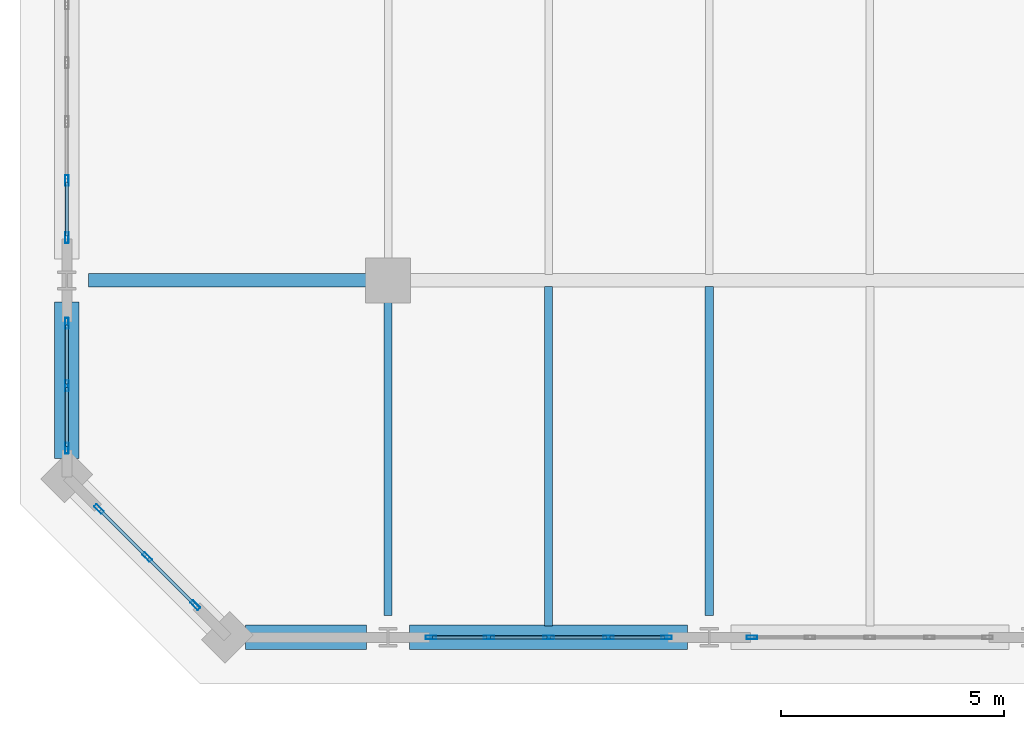
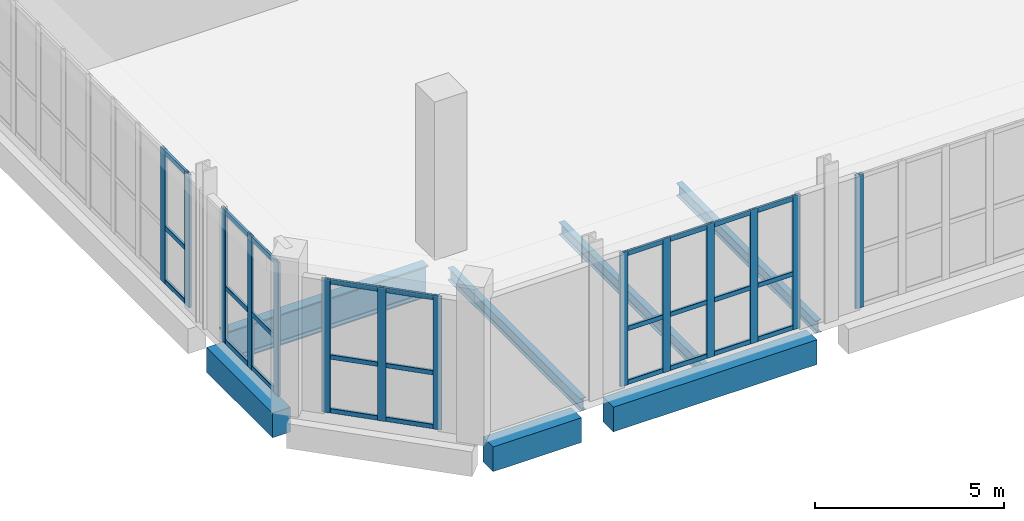
# One storey, part 2 of 26: 41 members, 7 beams, 5 elements without a shape of their own.
"""IFC4 building model written with IfcOpenShell, lengths in metres."""

from ifc_helpers import new_model, si_unit, direction, frame, origin, origin_2d, place, context, subcontext, project, spatial, rectangle, hollow_rectangle, i_section, extrude, material, layer, layer_set, material_profile, profile_set, type_object, element, aggregate, save


model = new_model("IFC4")

# Units and contexts
model_context = context("Model", 3, precision=1e-05, world=origin(), true_north=direction((0.0, 1.0)))
body_context = subcontext(model_context, "Body", "Model", "MODEL_VIEW")
ifc_project = project(units=[si_unit("LENGTHUNIT", "METRE"), si_unit("AREAUNIT", "SQUARE_METRE"), si_unit("VOLUMEUNIT", "CUBIC_METRE"), si_unit("PLANEANGLEUNIT", "RADIAN"), si_unit("MASSUNIT", "GRAM", prefix="KILO")], contexts=[model_context])

# Site, building, storey
site_placement = place(None, origin())
site = spatial("IfcSite", under=ifc_project, at=site_placement, CompositionType="ELEMENT")
building_placement = place(site_placement, origin())
building = spatial("IfcBuilding", under=site, at=building_placement, Name="Kaelvorn Grand Hotel", CompositionType="ELEMENT")
storey_placement = place(building_placement, frame((0.0, 0.0, 294.699951171875)))
storey = spatial("IfcBuildingStorey", under=building, at=storey_placement, Name="L72", CompositionType="ELEMENT", Elevation=294.699951171875)

# Beams
ifc_material_1 = material(Name="Steel S460", Category="steel")
ifc_material_profile_1 = material_profile(ifc_material_1, i_section(OverallWidth=0.302001953125, OverallDepth=1.008056640625, WebThickness=0.02099609375, FlangeThickness=0.0400390625, FilletRadius=0.024169921875, at=origin_2d()), Name="UB 1016x305x349")
ifc_profile_set_1 = profile_set([ifc_material_profile_1], Name="Steel S460")
beam_type_1 = type_object("IfcBeamType", Name="BM-G-UB1016-S460", PredefinedType="BEAM", material=ifc_profile_set_1)
beam_1_placement = place(storey_placement, frame((9.485107421875, 15.0, -0.884033203125), z_axis=(1.0, 0.0, 0.0), x_axis=(0.0, 1.0, 0.0)))
element("IfcBeam", 1, at=beam_1_placement, inside=storey, type_object=beam_type_1, Name="L72 Primary Spine Steel Girder G-15 01", PredefinedType="BEAM", context=body_context, shape_type="SweptSolid", body=[
    extrude(i_section(OverallWidth=0.302001953125, OverallDepth=1.008056640625, WebThickness=0.02099609375, FlangeThickness=0.0400390625, FilletRadius=0.024169921875, at=origin_2d()), origin(), (0.0, 0.0, 1.0), 6.22998046875),
])
ifc_material_2 = material(Name="Steel S355", Category="steel")
ifc_material_profile_2 = material_profile(ifc_material_2, i_section(OverallWidth=0.179931640625, OverallDepth=0.39990234375, WebThickness=0.008544921875, FlangeThickness=0.013427734375, FilletRadius=0.02099609375, at=origin_2d()), Name="IPE 400")
ifc_profile_set_2 = profile_set([ifc_material_profile_2], Name="Steel S355")
beam_type_2 = type_object("IfcBeamType", Name="BM-J-IPE400-S355", PredefinedType="JOIST", material=ifc_profile_set_2)
beam_2_placement = place(storey_placement, frame((16.199951171875, 7.485107421875, -0.579833984375), z_axis=(0.0, 1.0, 0.0), x_axis=(-1.0, 0.0, 0.0)))
element("IfcBeam", 2, at=beam_2_placement, inside=storey, type_object=beam_type_2, Name="L72 Composite Floor Joist JS-05", PredefinedType="JOIST", context=body_context, shape_type="SweptSolid", body=[
    extrude(i_section(OverallWidth=0.179931640625, OverallDepth=0.39990234375, WebThickness=0.008544921875, FlangeThickness=0.013427734375, FilletRadius=0.02099609375, at=origin_2d()), origin(), (0.0, 0.0, 1.0), 7.02978515625),
])
beam_3_placement = place(storey_placement, frame((19.800048828125, 7.260009765625, -0.579833984375), z_axis=(0.0, 1.0, 0.0), x_axis=(-1.0, 0.0, 0.0)))
element("IfcBeam", 3, at=beam_3_placement, inside=storey, type_object=beam_type_2, Name="L72 Composite Floor Joist JS-06", PredefinedType="JOIST", context=body_context, shape_type="SweptSolid", body=[
    extrude(i_section(OverallWidth=0.179931640625, OverallDepth=0.39990234375, WebThickness=0.008544921875, FlangeThickness=0.013427734375, FilletRadius=0.02099609375, at=origin_2d()), origin(), (0.0, 0.0, 1.0), 7.60400390625),
])
beam_4_placement = place(storey_placement, frame((23.39990234375, 7.485107421875, -0.579833984375), z_axis=(0.0, 1.0, 0.0), x_axis=(-1.0, 0.0, 0.0)))
element("IfcBeam", 4, at=beam_4_placement, inside=storey, type_object=beam_type_2, Name="L72 Composite Floor Joist JS-07", PredefinedType="JOIST", context=body_context, shape_type="SweptSolid", body=[
    extrude(i_section(OverallWidth=0.179931640625, OverallDepth=0.39990234375, WebThickness=0.008544921875, FlangeThickness=0.013427734375, FilletRadius=0.02099609375, at=origin_2d()), origin(), (0.0, 0.0, 1.0), 7.37890625),
])
ifc_material_3 = material(Name="Concrete C50/60", Category="concrete")
ifc_material_profile_3 = material_profile(ifc_material_3, rectangle(XDim=0.550048828125, YDim=0.800048828125, at=origin_2d()), Name="RC SPANDREL 550x800")
ifc_profile_set_3 = profile_set([ifc_material_profile_3], Name="Concrete C50/60")
beam_type_3 = type_object("IfcBeamType", Name="BM-SP-550x800-C50", PredefinedType="SPANDREL", material=ifc_profile_set_3)
beam_5_placement = place(storey_placement, frame((13.0048828125, 7.0, -0.780029296875), z_axis=(1.0, 0.0, 0.0), x_axis=(0.0, 1.0, 0.0)))
element("IfcBeam", 5, at=beam_5_placement, inside=storey, type_object=beam_type_3, Name="L72 South Perimeter Spandrel 01", PredefinedType="SPANDREL", context=body_context, shape_type="SweptSolid", body=[
    extrude(rectangle(XDim=0.550048828125, YDim=0.800048828125, at=origin_2d()), origin(), (0.0, 0.0, 1.0), 2.710205078125),
])
beam_6_placement = place(storey_placement, frame((16.68505859375, 7.0, -0.780029296875), z_axis=(1.0, 0.0, 0.0), x_axis=(0.0, 1.0, 0.0)))
element("IfcBeam", 6, at=beam_6_placement, inside=storey, type_object=beam_type_3, Name="L72 South Perimeter Spandrel 02", PredefinedType="SPANDREL", context=body_context, shape_type="SweptSolid", body=[
    extrude(rectangle(XDim=0.550048828125, YDim=0.800048828125, at=origin_2d()), origin(), (0.0, 0.0, 1.0), 6.22998046875),
])
beam_7_placement = place(storey_placement, frame((9.0, 11.0048828125, -0.780029296875), z_axis=(0.0, 1.0, 0.0), x_axis=(-1.0, 0.0, 0.0)))
element("IfcBeam", 7, at=beam_7_placement, inside=storey, type_object=beam_type_3, Name="L72 West Perimeter Spandrel 01", PredefinedType="SPANDREL", context=body_context, shape_type="SweptSolid", body=[
    extrude(rectangle(XDim=0.550048828125, YDim=0.800048828125, at=origin_2d()), origin(), (0.0, 0.0, 1.0), 3.510009765625),
])

# Curtain wall, members
ifc_material_4 = material(Name="Anodised Aluminium", Category="aluminium")
ifc_layer = layer(ifc_material_4, 0.239990234375)
ifc_layer_set = layer_set([ifc_layer], Name="Anodised Aluminium")
curtain_wall_type = type_object("IfcCurtainWallType", Name="CW-SYS5", PredefinedType="NOTDEFINED", material=ifc_layer_set)
curtain_wall_1_placement = place(storey_placement, origin())
curtain_wall_1 = element("IfcCurtainWall", 8, at=curtain_wall_1_placement, inside=storey, type_object=curtain_wall_type, Name="L72 Unitised Curtain Wall CW5 (CW-L72-S-01)", PredefinedType="NOTDEFINED")
ifc_material_profile_4 = material_profile(ifc_material_4, hollow_rectangle(XDim=0.080078125, YDim=0.239990234375, WallThickness=0.0048828125, InnerFilletRadius=0.0048828125, OuterFilletRadius=0.010009765625, at=origin_2d()), Name="ALU MULL 80x240")
ifc_profile_set_4 = profile_set([ifc_material_profile_4], Name="Anodised Aluminium")
member_type_1 = type_object("IfcMemberType", Name="CW-SYS5-MULL", PredefinedType="MULLION", material=ifc_profile_set_4)
member_1_placement = place(storey_placement, frame((17.159912109375, 7.0, 0.0), z_axis=(0.0, 0.0, 1.0), x_axis=(0.0, 1.0, 0.0)))
member_1 = element("IfcMember", 9, at=member_1_placement, type_object=member_type_1, Name="CW5 mullion 1", PredefinedType="MULLION", context=body_context, shape_type="SweptSolid", body=[
    extrude(hollow_rectangle(XDim=0.080078125, YDim=0.239990234375, WallThickness=0.0048828125, InnerFilletRadius=0.0048828125, OuterFilletRadius=0.010009765625, at=origin_2d()), origin(), (0.0, 0.0, 1.0), 4.320068359375),
])
member_2_placement = place(storey_placement, frame((18.4599609375, 7.0, 0.0), z_axis=(0.0, 0.0, 1.0), x_axis=(0.0, 1.0, 0.0)))
member_2 = element("IfcMember", 10, at=member_2_placement, type_object=member_type_1, Name="CW5 mullion 2", PredefinedType="MULLION", context=body_context, shape_type="SweptSolid", body=[
    extrude(hollow_rectangle(XDim=0.080078125, YDim=0.239990234375, WallThickness=0.0048828125, InnerFilletRadius=0.0048828125, OuterFilletRadius=0.010009765625, at=origin_2d()), origin(), (0.0, 0.0, 1.0), 4.320068359375),
])
member_3_placement = place(storey_placement, frame((19.800048828125, 7.0, 0.0), z_axis=(0.0, 0.0, 1.0), x_axis=(0.0, 1.0, 0.0)))
member_3 = element("IfcMember", 11, at=member_3_placement, type_object=member_type_1, Name="CW5 mullion 3", PredefinedType="MULLION", context=body_context, shape_type="SweptSolid", body=[
    extrude(hollow_rectangle(XDim=0.080078125, YDim=0.239990234375, WallThickness=0.0048828125, InnerFilletRadius=0.0048828125, OuterFilletRadius=0.010009765625, at=origin_2d()), origin(), (0.0, 0.0, 1.0), 4.320068359375),
])
member_4_placement = place(storey_placement, frame((21.139892578125, 7.0, 0.0), z_axis=(0.0, 0.0, 1.0), x_axis=(0.0, 1.0, 0.0)))
member_4 = element("IfcMember", 12, at=member_4_placement, type_object=member_type_1, Name="CW5 mullion 4", PredefinedType="MULLION", context=body_context, shape_type="SweptSolid", body=[
    extrude(hollow_rectangle(XDim=0.080078125, YDim=0.239990234375, WallThickness=0.0048828125, InnerFilletRadius=0.0048828125, OuterFilletRadius=0.010009765625, at=origin_2d()), origin(), (0.0, 0.0, 1.0), 4.320068359375),
])
member_5_placement = place(storey_placement, frame((22.43994140625, 7.0, 0.0), z_axis=(0.0, 0.0, 1.0), x_axis=(0.0, 1.0, 0.0)))
member_5 = element("IfcMember", 13, at=member_5_placement, type_object=member_type_1, Name="CW5 mullion 5", PredefinedType="MULLION", context=body_context, shape_type="SweptSolid", body=[
    extrude(hollow_rectangle(XDim=0.080078125, YDim=0.239990234375, WallThickness=0.0048828125, InnerFilletRadius=0.0048828125, OuterFilletRadius=0.010009765625, at=origin_2d()), origin(), (0.0, 0.0, 1.0), 4.320068359375),
])

# Curtain wall, member
curtain_wall_2_placement = place(storey_placement, origin())
curtain_wall_2 = element("IfcCurtainWall", 14, at=curtain_wall_2_placement, inside=storey, type_object=curtain_wall_type, Name="L72 Unitised Curtain Wall CW5 (CW-L72-S-02)", PredefinedType="NOTDEFINED")
member_6_placement = place(storey_placement, frame((24.360107421875, 7.0, 0.0), z_axis=(0.0, 0.0, 1.0), x_axis=(0.0, 1.0, 0.0)))
member_6 = element("IfcMember", 15, at=member_6_placement, type_object=member_type_1, Name="CW5 mullion 1", PredefinedType="MULLION", context=body_context, shape_type="SweptSolid", body=[
    extrude(hollow_rectangle(XDim=0.080078125, YDim=0.239990234375, WallThickness=0.0048828125, InnerFilletRadius=0.0048828125, OuterFilletRadius=0.010009765625, at=origin_2d()), origin(), (0.0, 0.0, 1.0), 4.320068359375),
])
aggregate(curtain_wall_2, [member_6])

# Curtain wall, members
curtain_wall_3_placement = place(storey_placement, origin())
curtain_wall_3 = element("IfcCurtainWall", 16, at=curtain_wall_3_placement, inside=storey, type_object=curtain_wall_type, Name="L72 Unitised Curtain Wall CW5 (CW-L72-W-02)", PredefinedType="NOTDEFINED")
member_7_placement = place(storey_placement, frame((9.0, 17.239990234375, 0.0), z_axis=(0.0, 0.0, 1.0), x_axis=(1.0, 0.0, 0.0)))
member_7 = element("IfcMember", 17, at=member_7_placement, type_object=member_type_1, Name="CW5 mullion 8", PredefinedType="MULLION", context=body_context, shape_type="SweptSolid", body=[
    extrude(hollow_rectangle(XDim=0.080078125, YDim=0.239990234375, WallThickness=0.0048828125, InnerFilletRadius=0.0048828125, OuterFilletRadius=0.010009765625, at=origin_2d()), origin(), (0.0, 0.0, 1.0), 4.320068359375),
])
member_8_placement = place(storey_placement, frame((9.0, 15.9599609375, 0.0), z_axis=(0.0, 0.0, 1.0), x_axis=(1.0, 0.0, 0.0)))
member_8 = element("IfcMember", 18, at=member_8_placement, type_object=member_type_1, Name="CW5 mullion 9", PredefinedType="MULLION", context=body_context, shape_type="SweptSolid", body=[
    extrude(hollow_rectangle(XDim=0.080078125, YDim=0.239990234375, WallThickness=0.0048828125, InnerFilletRadius=0.0048828125, OuterFilletRadius=0.010009765625, at=origin_2d()), origin(), (0.0, 0.0, 1.0), 4.320068359375),
])

curtain_wall_4_placement = place(storey_placement, origin())
curtain_wall_4 = element("IfcCurtainWall", 19, at=curtain_wall_4_placement, inside=storey, type_object=curtain_wall_type, Name="L72 Unitised Curtain Wall CW5 (CW-L72-W-01)", PredefinedType="NOTDEFINED")
member_9_placement = place(storey_placement, frame((9.0, 14.0400390625, 0.0), z_axis=(0.0, 0.0, 1.0), x_axis=(1.0, 0.0, 0.0)))
member_9 = element("IfcMember", 20, at=member_9_placement, type_object=member_type_1, Name="CW5 mullion 1", PredefinedType="MULLION", context=body_context, shape_type="SweptSolid", body=[
    extrude(hollow_rectangle(XDim=0.080078125, YDim=0.239990234375, WallThickness=0.0048828125, InnerFilletRadius=0.0048828125, OuterFilletRadius=0.010009765625, at=origin_2d()), origin(), (0.0, 0.0, 1.0), 4.320068359375),
])
member_10_placement = place(storey_placement, frame((9.0, 12.639892578125, 0.0), z_axis=(0.0, 0.0, 1.0), x_axis=(1.0, 0.0, 0.0)))
member_10 = element("IfcMember", 21, at=member_10_placement, type_object=member_type_1, Name="CW5 mullion 2", PredefinedType="MULLION", context=body_context, shape_type="SweptSolid", body=[
    extrude(hollow_rectangle(XDim=0.080078125, YDim=0.239990234375, WallThickness=0.0048828125, InnerFilletRadius=0.0048828125, OuterFilletRadius=0.010009765625, at=origin_2d()), origin(), (0.0, 0.0, 1.0), 4.320068359375),
])
member_11_placement = place(storey_placement, frame((9.0, 11.239990234375, 0.0), z_axis=(0.0, 0.0, 1.0), x_axis=(1.0, 0.0, 0.0)))
member_11 = element("IfcMember", 22, at=member_11_placement, type_object=member_type_1, Name="CW5 mullion 3", PredefinedType="MULLION", context=body_context, shape_type="SweptSolid", body=[
    extrude(hollow_rectangle(XDim=0.080078125, YDim=0.239990234375, WallThickness=0.0048828125, InnerFilletRadius=0.0048828125, OuterFilletRadius=0.010009765625, at=origin_2d()), origin(), (0.0, 0.0, 1.0), 4.320068359375),
])

curtain_wall_5_placement = place(storey_placement, origin())
curtain_wall_5 = element("IfcCurtainWall", 23, at=curtain_wall_5_placement, inside=storey, type_object=curtain_wall_type, Name="L72 Unitised Curtain Wall CW5 (CW-L72-SW)", PredefinedType="NOTDEFINED")
member_12_placement = place(storey_placement, frame((9.72119140625, 9.878662109375, 0.0), z_axis=(0.0, 0.0, 1.0), x_axis=(0.707106781187, 0.707106781187, 0.0)))
member_12 = element("IfcMember", 24, at=member_12_placement, type_object=member_type_1, Name="CW5 mullion 1", PredefinedType="MULLION", context=body_context, shape_type="SweptSolid", body=[
    extrude(hollow_rectangle(XDim=0.080078125, YDim=0.239990234375, WallThickness=0.0048828125, InnerFilletRadius=0.0048828125, OuterFilletRadius=0.010009765625, at=origin_2d()), origin(), (0.0, 0.0, 1.0), 4.320068359375),
])
member_13_placement = place(storey_placement, frame((10.800048828125, 8.800048828125, 0.0), z_axis=(0.0, 0.0, 1.0), x_axis=(0.707106781187, 0.707106781187, 0.0)))
member_13 = element("IfcMember", 25, at=member_13_placement, type_object=member_type_1, Name="CW5 mullion 2", PredefinedType="MULLION", context=body_context, shape_type="SweptSolid", body=[
    extrude(hollow_rectangle(XDim=0.080078125, YDim=0.239990234375, WallThickness=0.0048828125, InnerFilletRadius=0.0048828125, OuterFilletRadius=0.010009765625, at=origin_2d()), origin(), (0.0, 0.0, 1.0), 4.320068359375),
])
member_14_placement = place(storey_placement, frame((11.878662109375, 7.72119140625, 0.0), z_axis=(0.0, 0.0, 1.0), x_axis=(0.707106781187, 0.707106781187, 0.0)))
member_14 = element("IfcMember", 26, at=member_14_placement, type_object=member_type_1, Name="CW5 mullion 3", PredefinedType="MULLION", context=body_context, shape_type="SweptSolid", body=[
    extrude(hollow_rectangle(XDim=0.080078125, YDim=0.239990234375, WallThickness=0.0048828125, InnerFilletRadius=0.0048828125, OuterFilletRadius=0.010009765625, at=origin_2d()), origin(), (0.0, 0.0, 1.0), 4.320068359375),
])

# Member
ifc_material_profile_5 = material_profile(ifc_material_4, hollow_rectangle(XDim=0.074951171875, YDim=0.14990234375, WallThickness=0.00390625, InnerFilletRadius=0.00390625, OuterFilletRadius=0.008056640625, at=origin_2d()), Name="ALU TRAN 75x150")
ifc_profile_set_5 = profile_set([ifc_material_profile_5], Name="Anodised Aluminium")
member_type_2 = type_object("IfcMemberType", Name="CW-SYS5-TRAN", PredefinedType="NOTDEFINED", material=ifc_profile_set_5)
member_15_placement = place(storey_placement, frame((17.199951171875, 7.0, 0.074951171875), z_axis=(1.0, 0.0, 0.0), x_axis=(0.0, 1.0, 0.0)))
member_15 = element("IfcMember", 27, at=member_15_placement, type_object=member_type_2, Name="CW5 transom 1.1", ObjectType="TRANSOM", PredefinedType="USERDEFINED", context=body_context, shape_type="SweptSolid", body=[
    extrude(hollow_rectangle(XDim=0.074951171875, YDim=0.14990234375, WallThickness=0.00390625, InnerFilletRadius=0.00390625, OuterFilletRadius=0.008056640625, at=origin_2d()), origin(), (0.0, 0.0, 1.0), 1.219970703125),
])

member_16_placement = place(storey_placement, frame((17.199951171875, 7.0, 1.814453125), z_axis=(1.0, 0.0, 0.0), x_axis=(0.0, 1.0, 0.0)))
member_16 = element("IfcMember", 28, at=member_16_placement, type_object=member_type_2, Name="CW5 transom 1.2", ObjectType="TRANSOM", PredefinedType="USERDEFINED", context=body_context, shape_type="SweptSolid", body=[
    extrude(hollow_rectangle(XDim=0.074951171875, YDim=0.14990234375, WallThickness=0.00390625, InnerFilletRadius=0.00390625, OuterFilletRadius=0.008056640625, at=origin_2d()), origin(), (0.0, 0.0, 1.0), 1.219970703125),
])

member_17_placement = place(storey_placement, frame((17.199951171875, 7.0, 4.2451171875), z_axis=(1.0, 0.0, 0.0), x_axis=(0.0, 1.0, 0.0)))
member_17 = element("IfcMember", 29, at=member_17_placement, type_object=member_type_2, Name="CW5 transom 1.3", ObjectType="TRANSOM", PredefinedType="USERDEFINED", context=body_context, shape_type="SweptSolid", body=[
    extrude(hollow_rectangle(XDim=0.074951171875, YDim=0.14990234375, WallThickness=0.00390625, InnerFilletRadius=0.00390625, OuterFilletRadius=0.008056640625, at=origin_2d()), origin(), (0.0, 0.0, 1.0), 1.219970703125),
])

member_18_placement = place(storey_placement, frame((18.5, 7.0, 0.074951171875), z_axis=(1.0, 0.0, 0.0), x_axis=(0.0, 1.0, 0.0)))
member_18 = element("IfcMember", 30, at=member_18_placement, type_object=member_type_2, Name="CW5 transom 2.1", ObjectType="TRANSOM", PredefinedType="USERDEFINED", context=body_context, shape_type="SweptSolid", body=[
    extrude(hollow_rectangle(XDim=0.074951171875, YDim=0.14990234375, WallThickness=0.00390625, InnerFilletRadius=0.00390625, OuterFilletRadius=0.008056640625, at=origin_2d()), origin(), (0.0, 0.0, 1.0), 1.260009765625),
])

member_19_placement = place(storey_placement, frame((18.5, 7.0, 1.814453125), z_axis=(1.0, 0.0, 0.0), x_axis=(0.0, 1.0, 0.0)))
member_19 = element("IfcMember", 31, at=member_19_placement, type_object=member_type_2, Name="CW5 transom 2.2", ObjectType="TRANSOM", PredefinedType="USERDEFINED", context=body_context, shape_type="SweptSolid", body=[
    extrude(hollow_rectangle(XDim=0.074951171875, YDim=0.14990234375, WallThickness=0.00390625, InnerFilletRadius=0.00390625, OuterFilletRadius=0.008056640625, at=origin_2d()), origin(), (0.0, 0.0, 1.0), 1.260009765625),
])

member_20_placement = place(storey_placement, frame((18.5, 7.0, 4.2451171875), z_axis=(1.0, 0.0, 0.0), x_axis=(0.0, 1.0, 0.0)))
member_20 = element("IfcMember", 32, at=member_20_placement, type_object=member_type_2, Name="CW5 transom 2.3", ObjectType="TRANSOM", PredefinedType="USERDEFINED", context=body_context, shape_type="SweptSolid", body=[
    extrude(hollow_rectangle(XDim=0.074951171875, YDim=0.14990234375, WallThickness=0.00390625, InnerFilletRadius=0.00390625, OuterFilletRadius=0.008056640625, at=origin_2d()), origin(), (0.0, 0.0, 1.0), 1.260009765625),
])

member_21_placement = place(storey_placement, frame((19.840087890625, 7.0, 0.074951171875), z_axis=(1.0, 0.0, 0.0), x_axis=(0.0, 1.0, 0.0)))
member_21 = element("IfcMember", 33, at=member_21_placement, type_object=member_type_2, Name="CW5 transom 3.1", ObjectType="TRANSOM", PredefinedType="USERDEFINED", context=body_context, shape_type="SweptSolid", body=[
    extrude(hollow_rectangle(XDim=0.074951171875, YDim=0.14990234375, WallThickness=0.00390625, InnerFilletRadius=0.00390625, OuterFilletRadius=0.008056640625, at=origin_2d()), origin(), (0.0, 0.0, 1.0), 1.260009765625),
])

member_22_placement = place(storey_placement, frame((19.840087890625, 7.0, 1.814453125), z_axis=(1.0, 0.0, 0.0), x_axis=(0.0, 1.0, 0.0)))
member_22 = element("IfcMember", 34, at=member_22_placement, type_object=member_type_2, Name="CW5 transom 3.2", ObjectType="TRANSOM", PredefinedType="USERDEFINED", context=body_context, shape_type="SweptSolid", body=[
    extrude(hollow_rectangle(XDim=0.074951171875, YDim=0.14990234375, WallThickness=0.00390625, InnerFilletRadius=0.00390625, OuterFilletRadius=0.008056640625, at=origin_2d()), origin(), (0.0, 0.0, 1.0), 1.260009765625),
])

member_23_placement = place(storey_placement, frame((19.840087890625, 7.0, 4.2451171875), z_axis=(1.0, 0.0, 0.0), x_axis=(0.0, 1.0, 0.0)))
member_23 = element("IfcMember", 35, at=member_23_placement, type_object=member_type_2, Name="CW5 transom 3.3", ObjectType="TRANSOM", PredefinedType="USERDEFINED", context=body_context, shape_type="SweptSolid", body=[
    extrude(hollow_rectangle(XDim=0.074951171875, YDim=0.14990234375, WallThickness=0.00390625, InnerFilletRadius=0.00390625, OuterFilletRadius=0.008056640625, at=origin_2d()), origin(), (0.0, 0.0, 1.0), 1.260009765625),
])

member_24_placement = place(storey_placement, frame((21.179931640625, 7.0, 0.074951171875), z_axis=(1.0, 0.0, 0.0), x_axis=(0.0, 1.0, 0.0)))
member_24 = element("IfcMember", 36, at=member_24_placement, type_object=member_type_2, Name="CW5 transom 4.1", ObjectType="TRANSOM", PredefinedType="USERDEFINED", context=body_context, shape_type="SweptSolid", body=[
    extrude(hollow_rectangle(XDim=0.074951171875, YDim=0.14990234375, WallThickness=0.00390625, InnerFilletRadius=0.00390625, OuterFilletRadius=0.008056640625, at=origin_2d()), origin(), (0.0, 0.0, 1.0), 1.219970703125),
])

member_25_placement = place(storey_placement, frame((21.179931640625, 7.0, 1.814453125), z_axis=(1.0, 0.0, 0.0), x_axis=(0.0, 1.0, 0.0)))
member_25 = element("IfcMember", 37, at=member_25_placement, type_object=member_type_2, Name="CW5 transom 4.2", ObjectType="TRANSOM", PredefinedType="USERDEFINED", context=body_context, shape_type="SweptSolid", body=[
    extrude(hollow_rectangle(XDim=0.074951171875, YDim=0.14990234375, WallThickness=0.00390625, InnerFilletRadius=0.00390625, OuterFilletRadius=0.008056640625, at=origin_2d()), origin(), (0.0, 0.0, 1.0), 1.219970703125),
])

member_26_placement = place(storey_placement, frame((21.179931640625, 7.0, 4.2451171875), z_axis=(1.0, 0.0, 0.0), x_axis=(0.0, 1.0, 0.0)))
member_26 = element("IfcMember", 38, at=member_26_placement, type_object=member_type_2, Name="CW5 transom 4.3", ObjectType="TRANSOM", PredefinedType="USERDEFINED", context=body_context, shape_type="SweptSolid", body=[
    extrude(hollow_rectangle(XDim=0.074951171875, YDim=0.14990234375, WallThickness=0.00390625, InnerFilletRadius=0.00390625, OuterFilletRadius=0.008056640625, at=origin_2d()), origin(), (0.0, 0.0, 1.0), 1.219970703125),
])

aggregate(curtain_wall_1, [member_1, member_2, member_3, member_4, member_5, member_15, member_16, member_17, member_18, member_19, member_20, member_21, member_22, member_23, member_24, member_25, member_26])

member_27_placement = place(storey_placement, frame((9.0, 17.199951171875, 0.074951171875), z_axis=(0.0, -1.0, 0.0), x_axis=(1.0, 0.0, 0.0)))
member_27 = element("IfcMember", 39, at=member_27_placement, type_object=member_type_2, Name="CW5 transom 8.1", ObjectType="TRANSOM", PredefinedType="USERDEFINED", context=body_context, shape_type="SweptSolid", body=[
    extrude(hollow_rectangle(XDim=0.074951171875, YDim=0.14990234375, WallThickness=0.00390625, InnerFilletRadius=0.00390625, OuterFilletRadius=0.008056640625, at=origin_2d()), origin(), (0.0, 0.0, 1.0), 1.199951171875),
])

member_28_placement = place(storey_placement, frame((9.0, 17.199951171875, 1.814453125), z_axis=(0.0, -1.0, 0.0), x_axis=(1.0, 0.0, 0.0)))
member_28 = element("IfcMember", 40, at=member_28_placement, type_object=member_type_2, Name="CW5 transom 8.2", ObjectType="TRANSOM", PredefinedType="USERDEFINED", context=body_context, shape_type="SweptSolid", body=[
    extrude(hollow_rectangle(XDim=0.074951171875, YDim=0.14990234375, WallThickness=0.00390625, InnerFilletRadius=0.00390625, OuterFilletRadius=0.008056640625, at=origin_2d()), origin(), (0.0, 0.0, 1.0), 1.199951171875),
])

member_29_placement = place(storey_placement, frame((9.0, 17.199951171875, 4.2451171875), z_axis=(0.0, -1.0, 0.0), x_axis=(1.0, 0.0, 0.0)))
member_29 = element("IfcMember", 41, at=member_29_placement, type_object=member_type_2, Name="CW5 transom 8.3", ObjectType="TRANSOM", PredefinedType="USERDEFINED", context=body_context, shape_type="SweptSolid", body=[
    extrude(hollow_rectangle(XDim=0.074951171875, YDim=0.14990234375, WallThickness=0.00390625, InnerFilletRadius=0.00390625, OuterFilletRadius=0.008056640625, at=origin_2d()), origin(), (0.0, 0.0, 1.0), 1.199951171875),
])

aggregate(curtain_wall_3, [member_7, member_8, member_27, member_28, member_29])

member_30_placement = place(storey_placement, frame((9.0, 14.0, 0.074951171875), z_axis=(0.0, -1.0, 0.0), x_axis=(1.0, 0.0, 0.0)))
member_30 = element("IfcMember", 42, at=member_30_placement, type_object=member_type_2, Name="CW5 transom 1.1", ObjectType="TRANSOM", PredefinedType="USERDEFINED", context=body_context, shape_type="SweptSolid", body=[
    extrude(hollow_rectangle(XDim=0.074951171875, YDim=0.14990234375, WallThickness=0.00390625, InnerFilletRadius=0.00390625, OuterFilletRadius=0.008056640625, at=origin_2d()), origin(), (0.0, 0.0, 1.0), 1.320068359375),
])

member_31_placement = place(storey_placement, frame((9.0, 14.0, 1.814453125), z_axis=(0.0, -1.0, 0.0), x_axis=(1.0, 0.0, 0.0)))
member_31 = element("IfcMember", 43, at=member_31_placement, type_object=member_type_2, Name="CW5 transom 1.2", ObjectType="TRANSOM", PredefinedType="USERDEFINED", context=body_context, shape_type="SweptSolid", body=[
    extrude(hollow_rectangle(XDim=0.074951171875, YDim=0.14990234375, WallThickness=0.00390625, InnerFilletRadius=0.00390625, OuterFilletRadius=0.008056640625, at=origin_2d()), origin(), (0.0, 0.0, 1.0), 1.320068359375),
])

member_32_placement = place(storey_placement, frame((9.0, 14.0, 4.2451171875), z_axis=(0.0, -1.0, 0.0), x_axis=(1.0, 0.0, 0.0)))
member_32 = element("IfcMember", 44, at=member_32_placement, type_object=member_type_2, Name="CW5 transom 1.3", ObjectType="TRANSOM", PredefinedType="USERDEFINED", context=body_context, shape_type="SweptSolid", body=[
    extrude(hollow_rectangle(XDim=0.074951171875, YDim=0.14990234375, WallThickness=0.00390625, InnerFilletRadius=0.00390625, OuterFilletRadius=0.008056640625, at=origin_2d()), origin(), (0.0, 0.0, 1.0), 1.320068359375),
])

member_33_placement = place(storey_placement, frame((9.0, 12.60009765625, 0.074951171875), z_axis=(0.0, -1.0, 0.0), x_axis=(1.0, 0.0, 0.0)))
member_33 = element("IfcMember", 45, at=member_33_placement, type_object=member_type_2, Name="CW5 transom 2.1", ObjectType="TRANSOM", PredefinedType="USERDEFINED", context=body_context, shape_type="SweptSolid", body=[
    extrude(hollow_rectangle(XDim=0.074951171875, YDim=0.14990234375, WallThickness=0.00390625, InnerFilletRadius=0.00390625, OuterFilletRadius=0.008056640625, at=origin_2d()), origin(), (0.0, 0.0, 1.0), 1.320068359375),
])

member_34_placement = place(storey_placement, frame((9.0, 12.60009765625, 1.814453125), z_axis=(0.0, -1.0, 0.0), x_axis=(1.0, 0.0, 0.0)))
member_34 = element("IfcMember", 46, at=member_34_placement, type_object=member_type_2, Name="CW5 transom 2.2", ObjectType="TRANSOM", PredefinedType="USERDEFINED", context=body_context, shape_type="SweptSolid", body=[
    extrude(hollow_rectangle(XDim=0.074951171875, YDim=0.14990234375, WallThickness=0.00390625, InnerFilletRadius=0.00390625, OuterFilletRadius=0.008056640625, at=origin_2d()), origin(), (0.0, 0.0, 1.0), 1.320068359375),
])

member_35_placement = place(storey_placement, frame((9.0, 12.60009765625, 4.2451171875), z_axis=(0.0, -1.0, 0.0), x_axis=(1.0, 0.0, 0.0)))
member_35 = element("IfcMember", 47, at=member_35_placement, type_object=member_type_2, Name="CW5 transom 2.3", ObjectType="TRANSOM", PredefinedType="USERDEFINED", context=body_context, shape_type="SweptSolid", body=[
    extrude(hollow_rectangle(XDim=0.074951171875, YDim=0.14990234375, WallThickness=0.00390625, InnerFilletRadius=0.00390625, OuterFilletRadius=0.008056640625, at=origin_2d()), origin(), (0.0, 0.0, 1.0), 1.320068359375),
])

aggregate(curtain_wall_4, [member_9, member_10, member_11, member_30, member_31, member_32, member_33, member_34, member_35])

member_36_placement = place(storey_placement, frame((9.74951171875, 9.8505859375, 0.074951171875), z_axis=(0.707106781187, -0.707106781187, 0.0), x_axis=(0.707106781187, 0.707106781187, 0.0)))
member_36 = element("IfcMember", 48, at=member_36_placement, type_object=member_type_2, Name="CW5 transom 1.1", ObjectType="TRANSOM", PredefinedType="USERDEFINED", context=body_context, shape_type="SweptSolid", body=[
    extrude(hollow_rectangle(XDim=0.074951171875, YDim=0.14990234375, WallThickness=0.00390625, InnerFilletRadius=0.00390625, OuterFilletRadius=0.008056640625, at=origin_2d()), origin(), (0.0, 0.0, 1.0), 1.445556640625),
])

member_37_placement = place(storey_placement, frame((9.74951171875, 9.8505859375, 1.814453125), z_axis=(0.707106781187, -0.707106781187, 0.0), x_axis=(0.707106781187, 0.707106781187, 0.0)))
member_37 = element("IfcMember", 49, at=member_37_placement, type_object=member_type_2, Name="CW5 transom 1.2", ObjectType="TRANSOM", PredefinedType="USERDEFINED", context=body_context, shape_type="SweptSolid", body=[
    extrude(hollow_rectangle(XDim=0.074951171875, YDim=0.14990234375, WallThickness=0.00390625, InnerFilletRadius=0.00390625, OuterFilletRadius=0.008056640625, at=origin_2d()), origin(), (0.0, 0.0, 1.0), 1.445556640625),
])

member_38_placement = place(storey_placement, frame((9.74951171875, 9.8505859375, 4.2451171875), z_axis=(0.707106781187, -0.707106781187, 0.0), x_axis=(0.707106781187, 0.707106781187, 0.0)))
member_38 = element("IfcMember", 50, at=member_38_placement, type_object=member_type_2, Name="CW5 transom 1.3", ObjectType="TRANSOM", PredefinedType="USERDEFINED", context=body_context, shape_type="SweptSolid", body=[
    extrude(hollow_rectangle(XDim=0.074951171875, YDim=0.14990234375, WallThickness=0.00390625, InnerFilletRadius=0.00390625, OuterFilletRadius=0.008056640625, at=origin_2d()), origin(), (0.0, 0.0, 1.0), 1.445556640625),
])

member_39_placement = place(storey_placement, frame((10.828369140625, 8.771728515625, 0.074951171875), z_axis=(0.707106781187, -0.707106781187, 0.0), x_axis=(0.707106781187, 0.707106781187, 0.0)))
member_39 = element("IfcMember", 51, at=member_39_placement, type_object=member_type_2, Name="CW5 transom 2.1", ObjectType="TRANSOM", PredefinedType="USERDEFINED", context=body_context, shape_type="SweptSolid", body=[
    extrude(hollow_rectangle(XDim=0.074951171875, YDim=0.14990234375, WallThickness=0.00390625, InnerFilletRadius=0.00390625, OuterFilletRadius=0.008056640625, at=origin_2d()), origin(), (0.0, 0.0, 1.0), 1.445556640625),
])

member_40_placement = place(storey_placement, frame((10.828369140625, 8.771728515625, 1.814453125), z_axis=(0.707106781187, -0.707106781187, 0.0), x_axis=(0.707106781187, 0.707106781187, 0.0)))
member_40 = element("IfcMember", 52, at=member_40_placement, type_object=member_type_2, Name="CW5 transom 2.2", ObjectType="TRANSOM", PredefinedType="USERDEFINED", context=body_context, shape_type="SweptSolid", body=[
    extrude(hollow_rectangle(XDim=0.074951171875, YDim=0.14990234375, WallThickness=0.00390625, InnerFilletRadius=0.00390625, OuterFilletRadius=0.008056640625, at=origin_2d()), origin(), (0.0, 0.0, 1.0), 1.445556640625),
])

member_41_placement = place(storey_placement, frame((10.828369140625, 8.771728515625, 4.2451171875), z_axis=(0.707106781187, -0.707106781187, 0.0), x_axis=(0.707106781187, 0.707106781187, 0.0)))
member_41 = element("IfcMember", 53, at=member_41_placement, type_object=member_type_2, Name="CW5 transom 2.3", ObjectType="TRANSOM", PredefinedType="USERDEFINED", context=body_context, shape_type="SweptSolid", body=[
    extrude(hollow_rectangle(XDim=0.074951171875, YDim=0.14990234375, WallThickness=0.00390625, InnerFilletRadius=0.00390625, OuterFilletRadius=0.008056640625, at=origin_2d()), origin(), (0.0, 0.0, 1.0), 1.445556640625),
])

aggregate(curtain_wall_5, [member_12, member_13, member_14, member_36, member_37, member_38, member_39, member_40, member_41])

save(model, "model.ifc")
